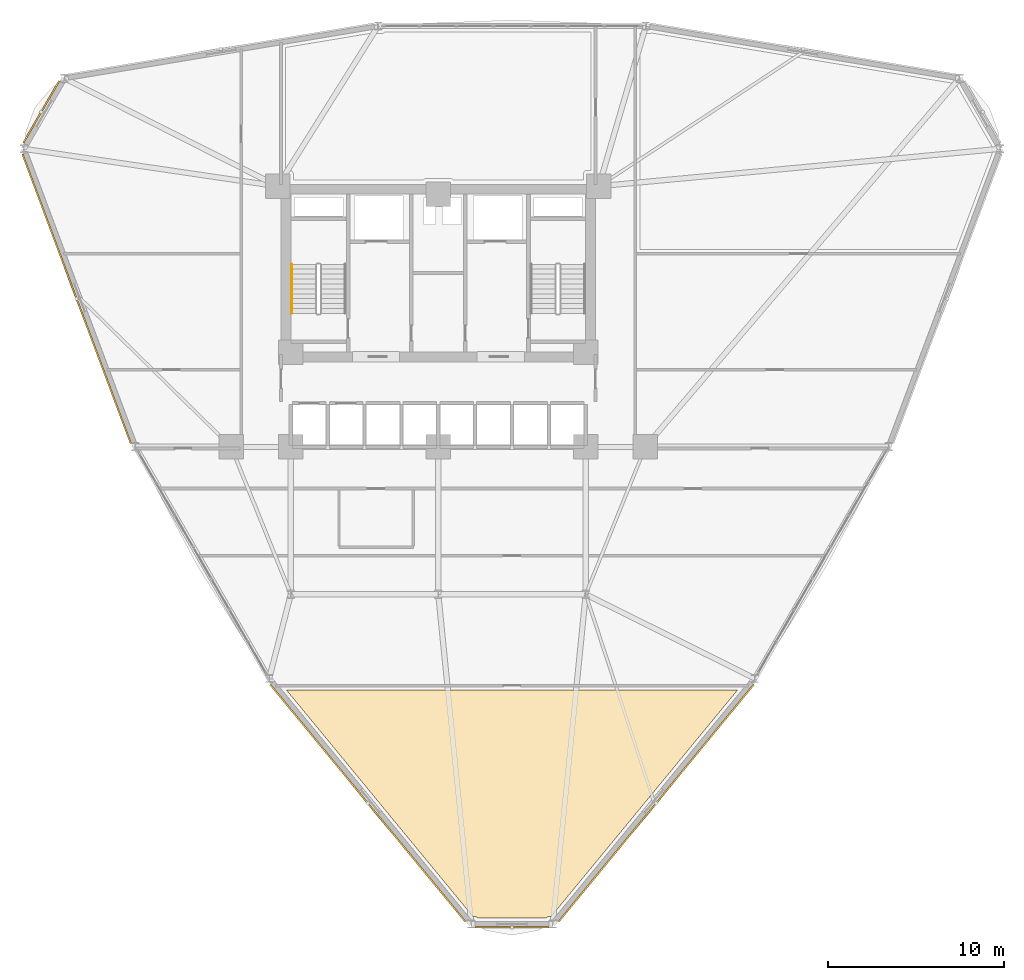
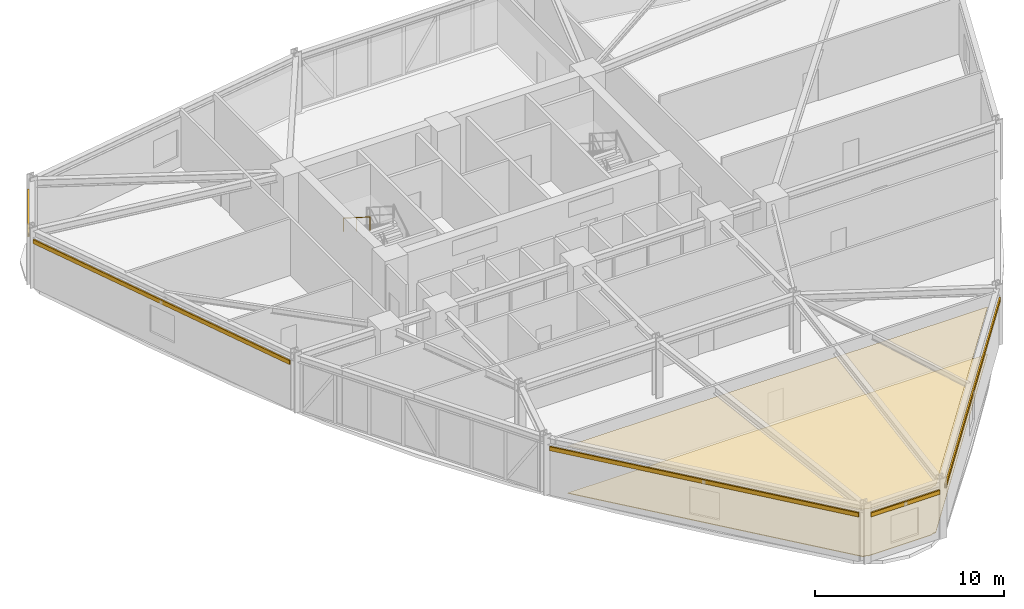
# One storey, part 18 of 20: 5 shading devices, 2 coverings, 1 railing.
"""IFC4 building model written with IfcOpenShell, lengths in metres."""

from ifc_helpers import new_model, si_unit, derived_unit, direction, frame, origin, origin_2d, place, context, subcontext, project, spatial, polyline, hollow_rectangle, circle, outline, extrude, source, transform, mapped, material, layer, layer_set, material_profile, profile_set, type_object, element, save


model = new_model("IFC4")

# Units and contexts
model_context = context("Model", 3, precision=1e-05, world=origin(), true_north=direction((0.0, 1.0)))
body_context = subcontext(model_context, "Body", "Model", "MODEL_VIEW")
ifc_project = project(units=[si_unit("LENGTHUNIT", "METRE"), si_unit("AREAUNIT", "SQUARE_METRE"), si_unit("VOLUMEUNIT", "CUBIC_METRE"), si_unit("PLANEANGLEUNIT", "RADIAN"), si_unit("MASSUNIT", "GRAM", prefix="KILO"), derived_unit("THERMALTRANSMITTANCEUNIT", [(si_unit("POWERUNIT", "WATT"), 1), (si_unit("LENGTHUNIT", "METRE"), -2), (si_unit("THERMODYNAMICTEMPERATUREUNIT", "KELVIN"), -1)])], contexts=[model_context])

# Site, building, storey
site_placement = place(None, origin())
site = spatial("IfcSite", under=ifc_project, at=site_placement, CompositionType="ELEMENT")
building_placement = place(site_placement, origin())
building = spatial("IfcBuilding", under=site, at=building_placement, Name="Korsvarv Bourse and Concert Hall", CompositionType="ELEMENT")
storey_placement = place(building_placement, frame((0.0, 0.0, 67.800048828125)))
storey = spatial("IfcBuildingStorey", under=building, at=storey_placement, Name="L16", CompositionType="ELEMENT", Elevation=67.800048828125)

# Coverings
ifc_material_1 = material(Name="Perforated mineral-wool and birch acoustic baffle ceiling", Category="wood")
ifc_layer_1 = layer(ifc_material_1, 0.02490234375)
ifc_layer_set_1 = layer_set([ifc_layer_1], Name="Perforated mineral-wool and birch acoustic baffle ceiling")
covering_type_1 = type_object("IfcCoveringType", Name="COV-CEIL-1", PredefinedType="CEILING", material=ifc_layer_set_1)
covering_1_placement = place(storey_placement, frame((0.0, 0.0, 3.06005859375)))
element("IfcCovering", 1, at=covering_1_placement, inside=storey, type_object=covering_type_1, Name="L16 acoustic baffle ceiling 2", PredefinedType="CEILING", context=body_context, shape_type="SweptSolid", body=[
    extrude(outline(polyline([(53.052490234375, 18.550048828125), (42.43017578125, 5.64599609375), (42.306884765625, 5.64599609375), (42.272216796875, 5.642578125), (42.23876953125, 5.632568359375), (42.2080078125, 5.6162109375), (42.180908203125, 5.594482421875), (42.158447265625, 5.567626953125), (38.25048828125, 5.55908203125), (38.233154296875, 5.580322265625), (38.207275390625, 5.602783203125), (38.177490234375, 5.619873046875), (38.145263671875, 5.631103515625), (38.111083984375, 5.6357421875), (37.972900390625, 5.64208984375), (27.347412109375, 18.550048828125), (53.052490234375, 18.550048828125)])), origin(), (0.0, 0.0, 1.0), 0.02490234375),
])
ifc_material_2 = material(Name="Calcium-sulphate raised access trading floor with Nordic oak top", Category="wood")
ifc_layer_2 = layer(ifc_material_2, 0.0400390625)
ifc_layer_set_2 = layer_set([ifc_layer_2], Name="Calcium-sulphate raised access trading floor with Nordic oak top")
covering_type_2 = type_object("IfcCoveringType", Name="COV-FLOR-1", PredefinedType="FLOORING", material=ifc_layer_set_2)
covering_2_placement = place(storey_placement, origin())
element("IfcCovering", 2, at=covering_2_placement, inside=storey, type_object=covering_type_2, Name="L16 raised access oak floor finish 2", PredefinedType="FLOORING", context=body_context, shape_type="SweptSolid", body=[
    extrude(outline(polyline([(53.052490234375, 18.550048828125), (42.43017578125, 5.64599609375), (42.306884765625, 5.64599609375), (42.272216796875, 5.642578125), (42.23876953125, 5.632568359375), (42.2080078125, 5.6162109375), (42.180908203125, 5.594482421875), (42.158447265625, 5.567626953125), (38.25048828125, 5.55908203125), (38.233154296875, 5.580322265625), (38.207275390625, 5.602783203125), (38.177490234375, 5.619873046875), (38.145263671875, 5.631103515625), (38.111083984375, 5.6357421875), (37.972900390625, 5.64208984375), (27.347412109375, 18.550048828125), (53.052490234375, 18.550048828125)])), origin(), (0.0, 0.0, 1.0), 0.0400390625),
])

# Railing
ifc_material_3 = material(Name="Brushed stainless Steel S355 tubular handrail", Category="steel")
railing_type = type_object("IfcRailingType", Name="RL-ST-HND", PredefinedType="HANDRAIL", material=ifc_material_3)
railing_placement = place(storey_placement, frame((27.64990234375, 42.800048828125, 2.127197265625)))
element("IfcRailing", 3, at=railing_placement, inside=storey, type_object=railing_type, Name="L16 ST-T1 stair handrail 2", PredefinedType="HANDRAIL", context=body_context, shape_type="SweptSolid", body=[
    extrude(circle(Radius=0.02392578125, at=origin_2d()), frame((0.0, 0.0, 0.8759765625), z_axis=(0.0, -0.844908973607, 0.534910110503), x_axis=(1.0, 0.0, 0.0)), (0.0, 0.0, 1.0), 3.31396484375),
    extrude(circle(Radius=0.02099609375, at=origin_2d()), origin(), (0.0, 0.0, 1.0), 0.851806640625),
    extrude(circle(Radius=0.02099609375, at=origin_2d()), frame((0.0, -1.39990234375, 0.88623046875)), (0.0, 0.0, 1.0), 0.851806640625),
    extrude(circle(Radius=0.02099609375, at=origin_2d()), frame((0.0, -2.800048828125, 1.772705078125)), (0.0, 0.0, 1.0), 0.851806640625),
])

# Shading devices
ifc_material_4 = material(Name="Glazed extruded architectural terracotta", Category="ceramic")
ifc_material_profile = material_profile(ifc_material_4, hollow_rectangle(XDim=0.090087890625, YDim=0.260009765625, WallThickness=0.011962890625, at=origin_2d()), Name="TC-BAG 90x260")
ifc_profile_set = profile_set([ifc_material_profile], Name="Glazed extruded architectural terracotta")
shading_device_type = type_object("IfcShadingDeviceType", Name="SHD-BAG-1", PredefinedType="USERDEFINED", material=ifc_profile_set)
shared_shape_1 = source(origin(), body_context, "Body", "SweptSolid", [
    extrude(hollow_rectangle(XDim=0.090087890625, YDim=0.260009765625, WallThickness=0.011962890625, at=origin_2d()), origin(), (0.0, 0.0, 1.0), 4.0791015625),
])
shading_device_1_placement = place(storey_placement, frame((14.40234375, 53.249267578125, 3.070068359375), z_axis=(-0.500014317814, -0.866017137233, 0.0), x_axis=(0.866017137233, -0.500014317814, 0.0)))
element("IfcShadingDevice", 4, at=shading_device_1_placement, inside=storey, type_object=shading_device_type, Name="L16 terracotta baguette sunshade EW-L16-B05", ObjectType="BAGUETTE", PredefinedType="USERDEFINED", context=body_context, shape_type="MappedRepresentation", body=[
    mapped(shared_shape_1, transform((0.0, 0.0, 0.0), scale=1.0)),
])
shared_shape_2 = source(origin(), body_context, "Body", "SweptSolid", [
    extrude(hollow_rectangle(XDim=0.090087890625, YDim=0.260009765625, WallThickness=0.011962890625, at=origin_2d()), origin(), (0.0, 0.0, 1.0), 17.600341796875),
])
shading_device_2_placement = place(storey_placement, frame((12.310302734375, 49.078857421875, 3.070068359375), z_axis=(0.350833077365, -0.936438012805, 0.0), x_axis=(0.936438012805, 0.350833077365, 0.0)))
element("IfcShadingDevice", 5, at=shading_device_2_placement, inside=storey, type_object=shading_device_type, Name="L16 terracotta baguette sunshade EW-L16-B06", ObjectType="BAGUETTE", PredefinedType="USERDEFINED", context=body_context, shape_type="MappedRepresentation", body=[
    mapped(shared_shape_2, transform((0.0, 0.0, 0.0), scale=1.0)),
])
shared_shape_3 = source(origin(), body_context, "Body", "SweptSolid", [
    extrude(hollow_rectangle(XDim=0.090087890625, YDim=0.260009765625, WallThickness=0.011962890625, at=origin_2d()), origin(), (0.0, 0.0, 1.0), 17.490478515625),
])
for number, where, z_axis, x_axis, name in (
    (6, (26.4306640625, 18.853515625, 3.070068359375), (0.635547248194, -0.772061976342, 0.0), (0.772061976342, 0.635547248194, 0.0), "L16 terracotta baguette sunshade EW-L16-B08"),
    (7, (42.853271484375, 5.349853515625, 3.070068359375), (0.635547248194, 0.772061976342, 0.0), (-0.772061976342, 0.635547248194, 0.0), "L16 terracotta baguette sunshade EW-L16-B10"),
):
    element("IfcShadingDevice", number, at=place(storey_placement, frame(where, z_axis=z_axis, x_axis=x_axis)), inside=storey, type_object=shading_device_type, Name=name, ObjectType="BAGUETTE", PredefinedType="USERDEFINED", context=body_context, shape_type="MappedRepresentation", body=[
        mapped(shared_shape_3, transform((0.0, 0.0, 0.0), scale=1.0)),
    ])
shared_shape_4 = source(origin(), body_context, "Body", "SweptSolid", [
    extrude(hollow_rectangle(XDim=0.090087890625, YDim=0.260009765625, WallThickness=0.011962890625, at=origin_2d()), origin(), (0.0, 0.0, 1.0), 4.2041015625),
])
shading_device_3_placement = place(storey_placement, frame((38.097900390625, 5.033935546875, 3.070068359375), z_axis=(1.0, 0.0, 0.0), x_axis=(0.0, 1.0, 0.0)))
element("IfcShadingDevice", 8, at=shading_device_3_placement, inside=storey, type_object=shading_device_type, Name="L16 terracotta baguette sunshade EW-L16-B09", ObjectType="BAGUETTE", PredefinedType="USERDEFINED", context=body_context, shape_type="MappedRepresentation", body=[
    mapped(shared_shape_4, transform((0.0, 0.0, 0.0), scale=1.0)),
])

save(model, "model.ifc")
